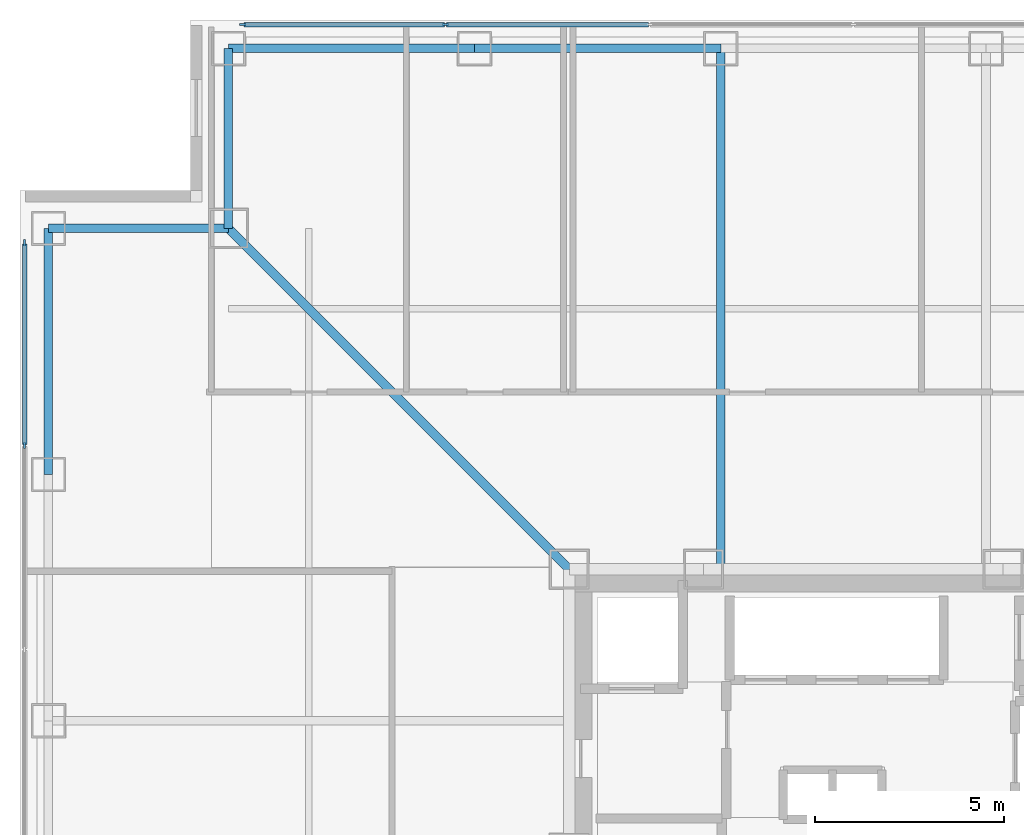
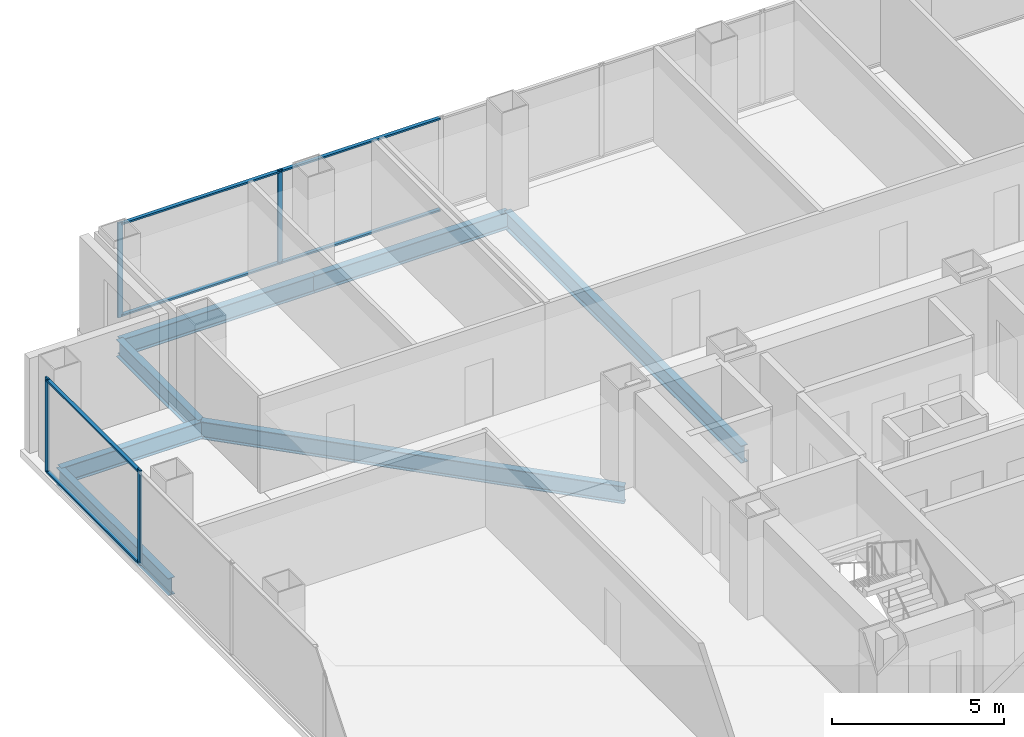
# One storey, part 9 of 17: 10 members, 7 beams, 2 elements without a shape of their own.
"""IFC4 building model written with IfcOpenShell, lengths in metres."""

from ifc_helpers import new_model, si_unit, direction, frame, origin, origin_2d, place, context, subcontext, project, spatial, rectangle, i_section, extrude, material, layer, layer_set, material_profile, profile_set, type_object, element, aggregate, save


model = new_model("IFC4")

# Units and contexts
model_context = context("Model", 3, precision=1e-05, world=origin(), true_north=direction((0.0, 1.0)))
body_context = subcontext(model_context, "Body", "Model", "MODEL_VIEW")
ifc_project = project(units=[si_unit("LENGTHUNIT", "METRE"), si_unit("AREAUNIT", "SQUARE_METRE"), si_unit("VOLUMEUNIT", "CUBIC_METRE"), si_unit("PLANEANGLEUNIT", "RADIAN"), si_unit("MASSUNIT", "GRAM", prefix="KILO")], contexts=[model_context])

# Site, building, storey
site_placement = place(None, origin())
site = spatial("IfcSite", under=ifc_project, at=site_placement, CompositionType="ELEMENT")
building_placement = place(site_placement, origin())
building = spatial("IfcBuilding", under=site, at=building_placement, Name="Trevonay Congress Spire", CompositionType="ELEMENT")
storey_placement = place(building_placement, frame((0.0, 0.0, 108.39990234375)))
storey = spatial("IfcBuildingStorey", under=building, at=storey_placement, Name="L27", CompositionType="ELEMENT", Elevation=108.39990234375)

# Beams
ifc_material_1 = material(Name="Steel ASTM A572 Grade 50", Category="steel")
ifc_material_profile_1 = material_profile(ifc_material_1, i_section(OverallWidth=0.22998046875, OverallDepth=0.616943359375, WebThickness=0.01318359375, FlangeThickness=0.022216796875, FilletRadius=0.01611328125, at=origin_2d()), Name="W610x140")
ifc_profile_set_1 = profile_set([ifc_material_profile_1], Name="Steel ASTM A572 Grade 50")
beam_type_1 = type_object("IfcBeamType", Name="BM-GIRD-W610X140", PredefinedType="BEAM", material=ifc_profile_set_1)
beam_1_placement = place(storey_placement, frame((-7.5, 7.5, -0.54833984375), z_axis=(-0.707106781187, 0.707106781187, 0.0), x_axis=(-0.707106781187, -0.707106781187, 0.0)))
element("IfcBeam", 1, at=beam_1_placement, inside=storey, type_object=beam_type_1, Name="L27 structural beam BM-L27-CDNW", PredefinedType="BEAM", context=body_context, shape_type="SweptSolid", body=[
    extrude(i_section(OverallWidth=0.22998046875, OverallDepth=0.616943359375, WebThickness=0.01318359375, FlangeThickness=0.022216796875, FilletRadius=0.01611328125, at=origin_2d()), origin(), (0.0, 0.0, 1.0), 12.72802734375),
])
beam_2_placement = place(storey_placement, frame((-3.5, 7.5, -0.54833984375), z_axis=(0.0, 1.0, 0.0), x_axis=(-1.0, 0.0, 0.0)))
element("IfcBeam", 2, at=beam_2_placement, inside=storey, type_object=beam_type_1, Name="L27 structural beam BM-L27-GN-M", PredefinedType="BEAM", context=body_context, shape_type="SweptSolid", body=[
    extrude(i_section(OverallWidth=0.22998046875, OverallDepth=0.616943359375, WebThickness=0.01318359375, FlangeThickness=0.022216796875, FilletRadius=0.01611328125, at=origin_2d()), origin(), (0.0, 0.0, 1.0), 13.75),
])
ifc_material_profile_2 = material_profile(ifc_material_1, i_section(OverallWidth=0.22802734375, OverallDepth=0.60791015625, WebThickness=0.01123046875, FlangeThickness=0.017333984375, FilletRadius=0.01611328125, at=origin_2d()), Name="W610x113")
ifc_profile_set_2 = profile_set([ifc_material_profile_2], Name="Steel ASTM A572 Grade 50")
beam_type_2 = type_object("IfcBeamType", Name="BM-RING-W610X113", PredefinedType="BEAM", material=ifc_profile_set_2)
for number, where, z_axis, x_axis, name in (
    (3, (-16.5, 21.25, -0.5439453125), (1.0, 0.0, 0.0), (0.0, 1.0, 0.0), "L27 structural beam BM-L27-PN1"),
    (4, (-10.0, 21.25, -0.5439453125), (1.0, 0.0, 0.0), (0.0, 1.0, 0.0), "L27 structural beam BM-L27-PN2"),
    (5, (-21.25, 10.0, -0.5439453125), (0.0, 1.0, 0.0), (-1.0, 0.0, 0.0), "L27 structural beam BM-L27-PW5"),
):
    element("IfcBeam", number, at=place(storey_placement, frame(where, z_axis=z_axis, x_axis=x_axis)), inside=storey, type_object=beam_type_2, Name=name, PredefinedType="BEAM", context=body_context, shape_type="SweptSolid", body=[
        extrude(i_section(OverallWidth=0.22802734375, OverallDepth=0.60791015625, WebThickness=0.01123046875, FlangeThickness=0.017333984375, FilletRadius=0.01611328125, at=origin_2d()), origin(), (0.0, 0.0, 1.0), 6.5),
    ])
for number, where, z_axis, x_axis, name in (
    (6, (-16.5, 21.25, -0.5439453125), (0.0, -1.0, 0.0), (1.0, 0.0, 0.0), "L27 structural beam BM-L27-N1NW"),
    (7, (-21.25, 16.5, -0.5439453125), (1.0, 0.0, 0.0), (0.0, 1.0, 0.0), "L27 structural beam BM-L27-N2NW"),
):
    element("IfcBeam", number, at=place(storey_placement, frame(where, z_axis=z_axis, x_axis=x_axis)), inside=storey, type_object=beam_type_2, Name=name, PredefinedType="BEAM", context=body_context, shape_type="SweptSolid", body=[
        extrude(i_section(OverallWidth=0.22802734375, OverallDepth=0.60791015625, WebThickness=0.01123046875, FlangeThickness=0.017333984375, FilletRadius=0.01611328125, at=origin_2d()), origin(), (0.0, 0.0, 1.0), 4.75),
    ])

# Curtain wall, members
ifc_material_2 = material(Name="Pale Anodised Aluminium EN AW-6063-T6", Category="aluminium")
ifc_layer = layer(ifc_material_2, 0.175048828125, Name="Pale Anodised Aluminium EN AW-6063-T6")
ifc_layer_set = layer_set([ifc_layer], Name="Pale Anodised Aluminium EN AW-6063-T6")
curtain_wall_type = type_object("IfcCurtainWallType", Name="CW-SYS03-CONGRESS-PALE-METAL", PredefinedType="NOTDEFINED", material=ifc_layer_set)
curtain_wall_1_placement = place(storey_placement, origin())
curtain_wall_1 = element("IfcCurtainWall", 8, at=curtain_wall_1_placement, inside=storey, type_object=curtain_wall_type, Name="L27 N unitised curtain wall", PredefinedType="NOTDEFINED")
ifc_material_profile_3 = material_profile(ifc_material_2, rectangle(XDim=0.06005859375, YDim=0.159912109375, at=origin_2d()), Name="CW-MULLION-160-ALUMINIUM")
ifc_profile_set_3 = profile_set([ifc_material_profile_3], Name="Pale Anodised Aluminium EN AW-6063-T6")
member_type_1 = type_object("IfcMemberType", Name="CW-MULLION-160-ALUMINIUM", PredefinedType="MULLION", material=ifc_profile_set_3)
member_1_placement = place(storey_placement, frame((-16.1201171875, 21.8798828125, 0.0), z_axis=(0.0, 0.0, 1.0), x_axis=(0.0, 1.0, 0.0)))
member_1 = element("IfcMember", 9, at=member_1_placement, type_object=member_type_1, Name="CW03 mullion 1", PredefinedType="MULLION", context=body_context, shape_type="SweptSolid", body=[
    extrude(rectangle(XDim=0.06005859375, YDim=0.159912109375, at=origin_2d()), origin(), (0.0, 0.0, 1.0), 3.360107421875),
])
member_2_placement = place(storey_placement, frame((-10.7666015625, 21.8798828125, 0.0), z_axis=(0.0, 0.0, 1.0), x_axis=(0.0, 1.0, 0.0)))
member_2 = element("IfcMember", 10, at=member_2_placement, type_object=member_type_1, Name="CW03 mullion 2", PredefinedType="MULLION", context=body_context, shape_type="SweptSolid", body=[
    extrude(rectangle(XDim=0.06005859375, YDim=0.159912109375, at=origin_2d()), origin(), (0.0, 0.0, 1.0), 3.360107421875),
])

curtain_wall_2_placement = place(storey_placement, origin())
curtain_wall_2 = element("IfcCurtainWall", 11, at=curtain_wall_2_placement, inside=storey, type_object=curtain_wall_type, Name="L27 W unitised curtain wall", PredefinedType="NOTDEFINED")
member_3_placement = place(storey_placement, frame((-21.8798828125, 10.7666015625, 0.0), z_axis=(0.0, 0.0, 1.0), x_axis=(-1.0, 0.0, 0.0)))
member_3 = element("IfcMember", 12, at=member_3_placement, type_object=member_type_1, Name="CW03 mullion 6", PredefinedType="MULLION", context=body_context, shape_type="SweptSolid", body=[
    extrude(rectangle(XDim=0.06005859375, YDim=0.159912109375, at=origin_2d()), origin(), (0.0, 0.0, 1.0), 3.360107421875),
])
member_4_placement = place(storey_placement, frame((-21.8798828125, 16.1201171875, 0.0), z_axis=(0.0, 0.0, 1.0), x_axis=(-1.0, 0.0, 0.0)))
member_4 = element("IfcMember", 13, at=member_4_placement, type_object=member_type_1, Name="CW03 mullion 7", PredefinedType="MULLION", context=body_context, shape_type="SweptSolid", body=[
    extrude(rectangle(XDim=0.06005859375, YDim=0.159912109375, at=origin_2d()), origin(), (0.0, 0.0, 1.0), 3.360107421875),
])

# Member
ifc_material_profile_4 = material_profile(ifc_material_2, rectangle(XDim=0.1201171875, YDim=0.06005859375, at=origin_2d()), Name="CW-TRANSOM-120-ALUMINIUM")
ifc_profile_set_4 = profile_set([ifc_material_profile_4], Name="Pale Anodised Aluminium EN AW-6063-T6")
member_type_2 = type_object("IfcMemberType", Name="CW-TRANSOM-120-ALUMINIUM", PredefinedType="USERDEFINED", material=ifc_profile_set_4)
member_5_placement = place(storey_placement, frame((-16.090087890625, 21.8798828125, 0.06005859375), z_axis=(1.0, 0.0, 0.0), x_axis=(0.0, 1.0, 0.0)))
member_5 = element("IfcMember", 14, at=member_5_placement, type_object=member_type_2, Name="CW03 transom 1.1", ObjectType="TRANSOM", PredefinedType="USERDEFINED", context=body_context, shape_type="SweptSolid", body=[
    extrude(rectangle(XDim=0.1201171875, YDim=0.06005859375, at=origin_2d()), origin(), (0.0, 0.0, 1.0), 5.29345703125),
])

member_6_placement = place(storey_placement, frame((-16.090087890625, 21.8798828125, 3.300048828125), z_axis=(1.0, 0.0, 0.0), x_axis=(0.0, 1.0, 0.0)))
member_6 = element("IfcMember", 15, at=member_6_placement, type_object=member_type_2, Name="CW03 transom 1.2", ObjectType="TRANSOM", PredefinedType="USERDEFINED", context=body_context, shape_type="SweptSolid", body=[
    extrude(rectangle(XDim=0.1201171875, YDim=0.06005859375, at=origin_2d()), origin(), (0.0, 0.0, 1.0), 5.29345703125),
])

member_7_placement = place(storey_placement, frame((-10.736572265625, 21.8798828125, 0.06005859375), z_axis=(1.0, 0.0, 0.0), x_axis=(0.0, 1.0, 0.0)))
member_7 = element("IfcMember", 16, at=member_7_placement, type_object=member_type_2, Name="CW03 transom 2.1", ObjectType="TRANSOM", PredefinedType="USERDEFINED", context=body_context, shape_type="SweptSolid", body=[
    extrude(rectangle(XDim=0.1201171875, YDim=0.06005859375, at=origin_2d()), origin(), (0.0, 0.0, 1.0), 5.3232421875),
])

member_8_placement = place(storey_placement, frame((-10.736572265625, 21.8798828125, 3.300048828125), z_axis=(1.0, 0.0, 0.0), x_axis=(0.0, 1.0, 0.0)))
member_8 = element("IfcMember", 17, at=member_8_placement, type_object=member_type_2, Name="CW03 transom 2.2", ObjectType="TRANSOM", PredefinedType="USERDEFINED", context=body_context, shape_type="SweptSolid", body=[
    extrude(rectangle(XDim=0.1201171875, YDim=0.06005859375, at=origin_2d()), origin(), (0.0, 0.0, 1.0), 5.3232421875),
])

aggregate(curtain_wall_1, [member_1, member_2, member_5, member_6, member_7, member_8])

member_9_placement = place(storey_placement, frame((-21.8798828125, 10.796630859375, 0.06005859375), z_axis=(0.0, 1.0, 0.0), x_axis=(-1.0, 0.0, 0.0)))
member_9 = element("IfcMember", 18, at=member_9_placement, type_object=member_type_2, Name="CW03 transom 6.1", ObjectType="TRANSOM", PredefinedType="USERDEFINED", context=body_context, shape_type="SweptSolid", body=[
    extrude(rectangle(XDim=0.1201171875, YDim=0.06005859375, at=origin_2d()), origin(), (0.0, 0.0, 1.0), 5.29345703125),
])

member_10_placement = place(storey_placement, frame((-21.8798828125, 10.796630859375, 3.300048828125), z_axis=(0.0, 1.0, 0.0), x_axis=(-1.0, 0.0, 0.0)))
member_10 = element("IfcMember", 19, at=member_10_placement, type_object=member_type_2, Name="CW03 transom 6.2", ObjectType="TRANSOM", PredefinedType="USERDEFINED", context=body_context, shape_type="SweptSolid", body=[
    extrude(rectangle(XDim=0.1201171875, YDim=0.06005859375, at=origin_2d()), origin(), (0.0, 0.0, 1.0), 5.29345703125),
])

aggregate(curtain_wall_2, [member_3, member_4, member_9, member_10])

save(model, "model.ifc")
